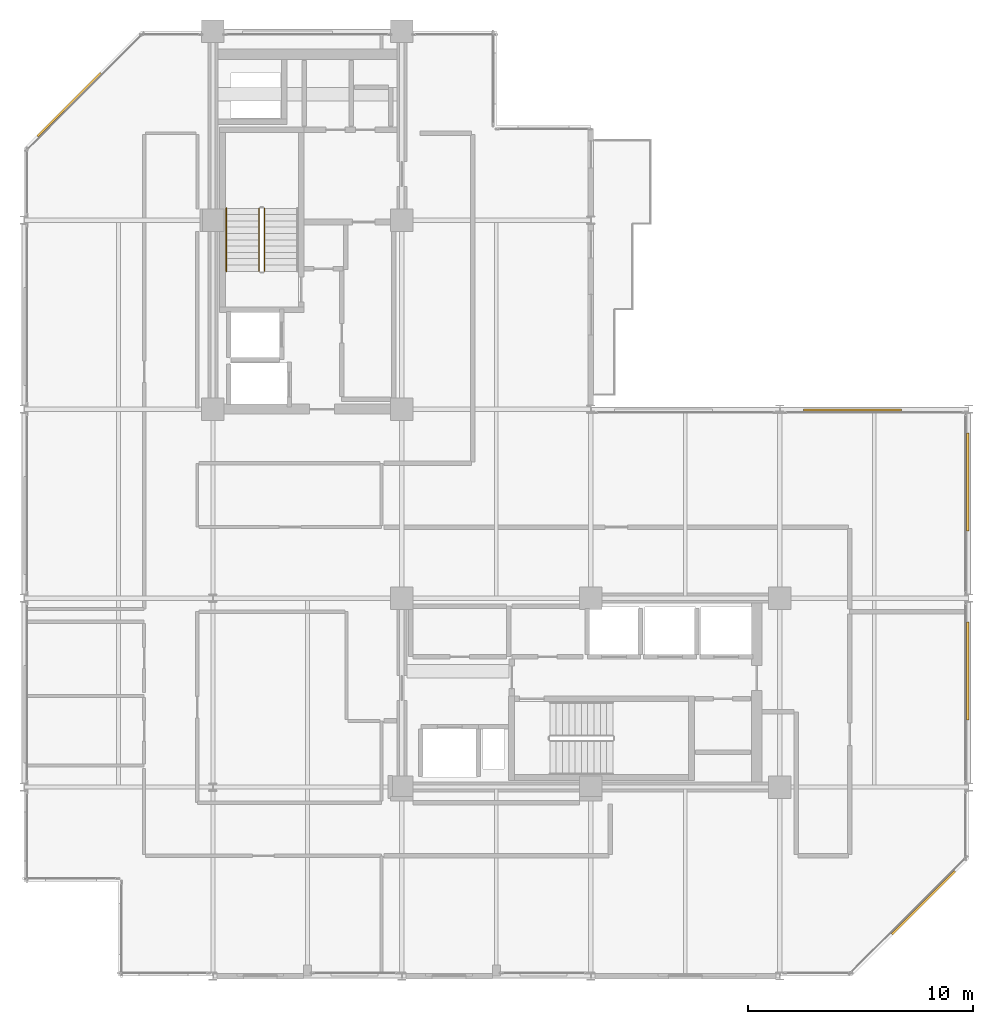
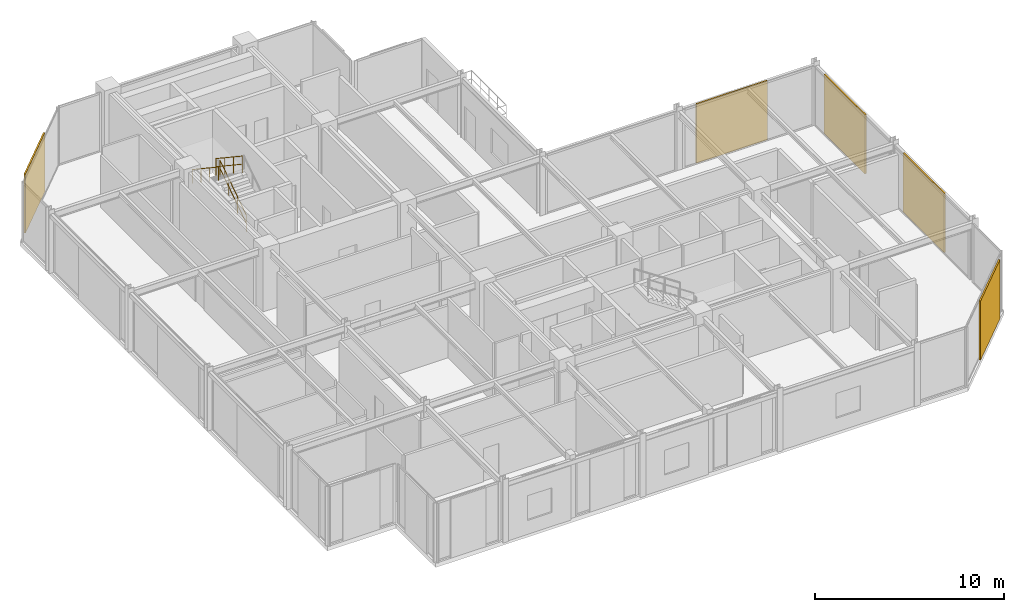
# One storey, part 24 of 25: 5 coverings, 3 railings.
"""IFC4 building model written with IfcOpenShell, lengths in metres."""

from ifc_helpers import new_model, si_unit, direction, frame, origin, origin_2d, place, context, subcontext, project, spatial, rectangle, circle, extrude, material, layer, layer_set, type_object, element, save


model = new_model("IFC4")

# Units and contexts
model_context = context("Model", 3, precision=1e-05, world=origin(), true_north=direction((0.0, 1.0)))
body_context = subcontext(model_context, "Body", "Model", "MODEL_VIEW")
ifc_project = project(units=[si_unit("LENGTHUNIT", "METRE"), si_unit("AREAUNIT", "SQUARE_METRE"), si_unit("VOLUMEUNIT", "CUBIC_METRE"), si_unit("PLANEANGLEUNIT", "RADIAN"), si_unit("MASSUNIT", "GRAM", prefix="KILO")], contexts=[model_context])

# Site, building, storey
site_placement = place(None, origin())
site = spatial("IfcSite", under=ifc_project, at=site_placement, CompositionType="ELEMENT")
building_placement = place(site_placement, origin())
building = spatial("IfcBuilding", under=site, at=building_placement, Name="Nerrivon Quay Data Exchange", CompositionType="ELEMENT")
storey_placement = place(building_placement, frame((0.0, 0.0, 232.89990234375)))
storey = spatial("IfcBuildingStorey", under=building, at=storey_placement, Name="L55", CompositionType="ELEMENT", Elevation=232.89990234375)

# Coverings
ifc_material_1 = material(Name="Architectural terracotta ceramic", Category="masonry")
ifc_layer = layer(ifc_material_1, 0.090087890625)
ifc_layer_set = layer_set([ifc_layer], Name="Architectural terracotta ceramic")
covering_type = type_object("IfcCoveringType", Name="COV-SCR-TERR", PredefinedType="CLADDING", material=ifc_layer_set)
for number, where, z_axis, x_axis, name in (
    (1, (39.9921875, 3.255859375, 0.0), (0.0, 0.0, 1.0), (-0.707106781187, -0.707106781187, 0.0), "L55 Perforated Terracotta SOLAR SCREEN Cassette"),
    (2, (2.0078125, 38.744140625, 0.0), (0.0, 0.0, 1.0), (0.707106781187, 0.707106781187, 0.0), "L55 Perforated Terracotta SOLAR SCREEN Cassette"),
):
    element("IfcCovering", number, at=place(storey_placement, frame(where, z_axis=z_axis, x_axis=x_axis)), inside=storey, type_object=covering_type, Name=name, PredefinedType="CLADDING", context=body_context, shape_type="SweptSolid", body=[
        extrude(rectangle(XDim=3.970947265625, YDim=0.090087890625, at=origin_2d()), origin(), (0.0, 0.0, 1.0), 3.824951171875),
    ])
for number, where, z_axis, x_axis, name in (
    (3, (36.833984375, 25.155029296875, 0.0), (0.0, 0.0, 1.0), (1.0, 0.0, 0.0), "L55 Perforated Terracotta SOLAR SCREEN Cassette"),
    (4, (41.955078125, 21.966064453125, 0.0), (0.0, 0.0, 1.0), (0.0, -1.0, 0.0), "L55 Perforated Terracotta SOLAR SCREEN Cassette"),
    (5, (41.955078125, 13.56591796875, 0.0), (0.0, 0.0, 1.0), (0.0, -1.0, 0.0), "L55 Perforated Terracotta SOLAR SCREEN Cassette"),
):
    element("IfcCovering", number, at=place(storey_placement, frame(where, z_axis=z_axis, x_axis=x_axis)), inside=storey, type_object=covering_type, Name=name, PredefinedType="CLADDING", context=body_context, shape_type="SweptSolid", body=[
        extrude(rectangle(XDim=4.346923828125, YDim=0.090087890625, at=origin_2d()), origin(), (0.0, 0.0, 1.0), 3.824951171875),
    ])

# Railings
ifc_material_2 = material(Name="Steel Grade C350L0 (350 MPa)", Category="steel")
railing_type_1 = type_object("IfcRailingType", Name="RAIL-HAND-HR1", PredefinedType="HANDRAIL", material=ifc_material_2)
railing_1_placement = place(storey_placement, frame((9.0, 34.1298828125, 2.236572265625)))
element("IfcRailing", 6, at=railing_1_placement, inside=storey, type_object=railing_type_1, Name="L55 ST01 stair handrail 2", PredefinedType="HANDRAIL", context=body_context, shape_type="SweptSolid", body=[
    extrude(circle(Radius=0.02392578125, at=origin_2d()), frame((0.0, 0.0, 0.8759765625), z_axis=(0.0, -0.832463268671, 0.554080234545), x_axis=(1.0, 0.0, 0.0)), (0.0, 0.0, 1.0), 3.36328125),
    extrude(circle(Radius=0.02099609375, at=origin_2d()), origin(), (0.0, 0.0, 1.0), 0.851806640625),
    extrude(circle(Radius=0.02099609375, at=origin_2d()), frame((0.0, -0.933349609375, 0.62109375)), (0.0, 0.0, 1.0), 0.851806640625),
    extrude(circle(Radius=0.02099609375, at=origin_2d()), frame((0.0, -1.866455078125, 1.242431640625)), (0.0, 0.0, 1.0), 0.851806640625),
    extrude(circle(Radius=0.02099609375, at=origin_2d()), frame((0.0, -2.7998046875, 1.863525390625)), (0.0, 0.0, 1.0), 0.851806640625),
])
railing_type_2 = type_object("IfcRailingType", Name="RAIL-STAIR-GR1", PredefinedType="BALUSTRADE", material=ifc_material_2)
railing_2_placement = place(storey_placement, frame((10.699951171875, 31.330078125, 0.1865234375)))
element("IfcRailing", 7, at=railing_2_placement, inside=storey, type_object=railing_type_2, Name="L55 ST01 stair guard 1", PredefinedType="BALUSTRADE", context=body_context, shape_type="SweptSolid", body=[
    extrude(circle(Radius=0.02392578125, at=origin_2d()), frame((0.0, 0.0, 1.076171875), z_axis=(0.0, 0.832463268671, 0.554080234545), x_axis=(-1.0, 0.0, 0.0)), (0.0, 0.0, 1.0), 3.36328125),
    extrude(circle(Radius=0.02392578125, at=origin_2d()), frame((0.0, 0.0, 0.550048828125), z_axis=(0.0, 0.832463268671, 0.554080234545), x_axis=(-1.0, 0.0, 0.0)), (0.0, 0.0, 1.0), 3.36328125),
    extrude(circle(Radius=0.02099609375, at=origin_2d()), origin(), (0.0, 0.0, 1.0), 1.052001953125),
    extrude(circle(Radius=0.02099609375, at=origin_2d()), frame((0.0, 0.933349609375, 0.62109375)), (0.0, 0.0, 1.0), 1.052001953125),
    extrude(circle(Radius=0.02099609375, at=origin_2d()), frame((0.0, 1.866455078125, 1.242431640625)), (0.0, 0.0, 1.0), 1.052001953125),
    extrude(circle(Radius=0.02099609375, at=origin_2d()), frame((0.0, 2.7998046875, 1.863525390625)), (0.0, 0.0, 1.0), 1.052001953125),
])
railing_3_placement = place(storey_placement, frame((10.449951171875, 34.1298828125, 2.236572265625)))
element("IfcRailing", 8, at=railing_3_placement, inside=storey, type_object=railing_type_2, Name="L55 ST01 stair guard 3", PredefinedType="BALUSTRADE", context=body_context, shape_type="SweptSolid", body=[
    extrude(circle(Radius=0.02392578125, at=origin_2d()), frame((0.0, 0.0, 1.076171875), z_axis=(0.0, -0.832463268671, 0.554080234545), x_axis=(1.0, 0.0, 0.0)), (0.0, 0.0, 1.0), 3.36328125),
    extrude(circle(Radius=0.02392578125, at=origin_2d()), frame((0.0, 0.0, 0.550048828125), z_axis=(0.0, -0.832463268671, 0.554080234545), x_axis=(1.0, 0.0, 0.0)), (0.0, 0.0, 1.0), 3.36328125),
    extrude(circle(Radius=0.02099609375, at=origin_2d()), origin(), (0.0, 0.0, 1.0), 1.052001953125),
    extrude(circle(Radius=0.02099609375, at=origin_2d()), frame((0.0, -0.933349609375, 0.62109375)), (0.0, 0.0, 1.0), 1.052001953125),
    extrude(circle(Radius=0.02099609375, at=origin_2d()), frame((0.0, -1.866455078125, 1.242431640625)), (0.0, 0.0, 1.0), 1.052001953125),
    extrude(circle(Radius=0.02099609375, at=origin_2d()), frame((0.0, -2.7998046875, 1.863525390625)), (0.0, 0.0, 1.0), 1.052001953125),
])

save(model, "model.ifc")
